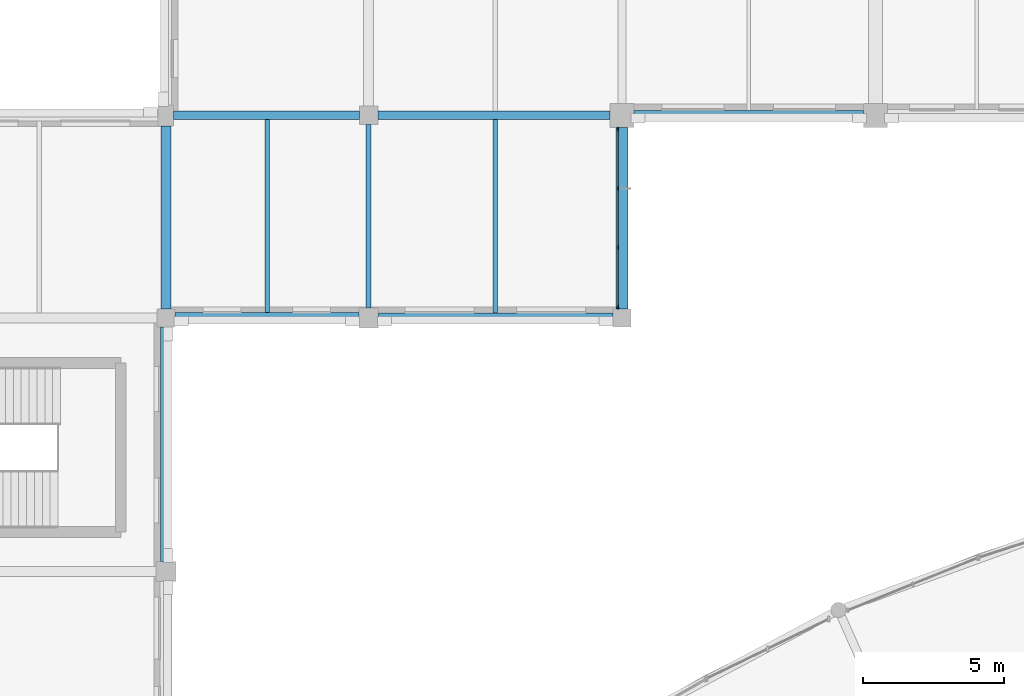
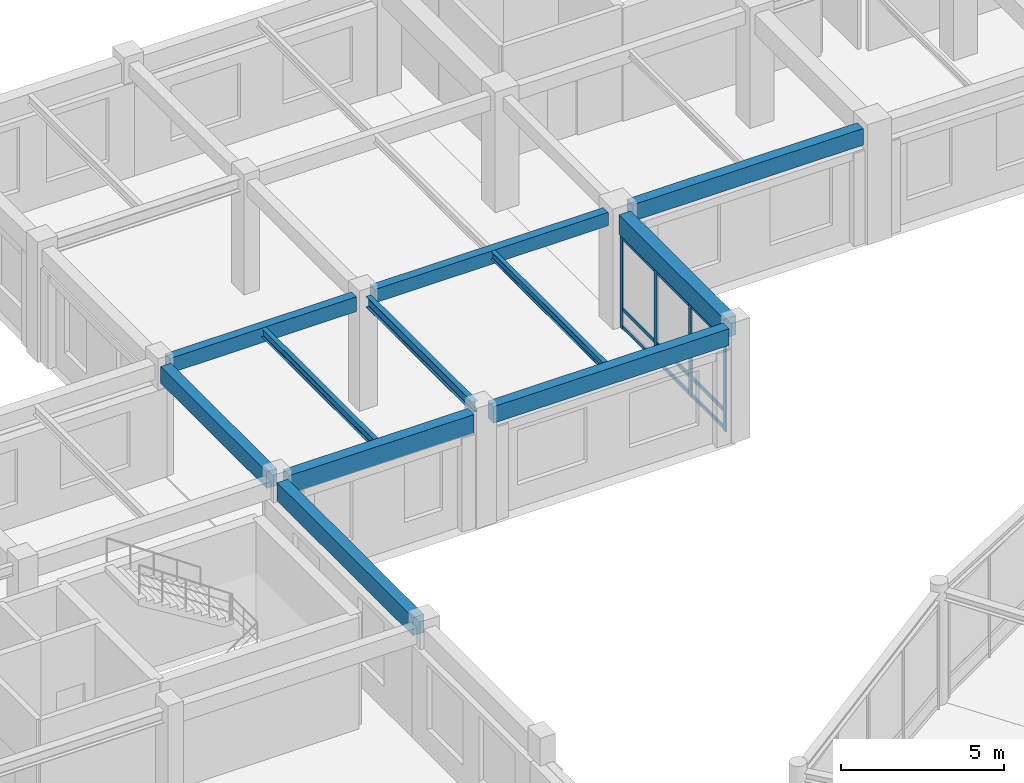
# One storey, part 20 of 62: 13 members, 11 beams, 1 element without a shape of its own.
"""IFC4 building model written with IfcOpenShell, lengths in metres."""

from ifc_helpers import new_model, si_unit, direction, frame, origin, origin_2d, place, context, subcontext, project, spatial, rectangle, i_section, extrude, material, material_profile, profile_set, type_object, element, aggregate, save


model = new_model("IFC4")

# Units and contexts
model_context = context("Model", 3, precision=1e-05, world=origin(), true_north=direction((0.0, 1.0)))
body_context = subcontext(model_context, "Body", "Model", "MODEL_VIEW")
ifc_project = project(units=[si_unit("LENGTHUNIT", "METRE"), si_unit("AREAUNIT", "SQUARE_METRE"), si_unit("VOLUMEUNIT", "CUBIC_METRE"), si_unit("PLANEANGLEUNIT", "RADIAN"), si_unit("MASSUNIT", "GRAM", prefix="KILO")], contexts=[model_context])

# Site, building, storey
site_placement = place(None, origin())
site = spatial("IfcSite", under=ifc_project, at=site_placement, CompositionType="ELEMENT")
building_placement = place(site_placement, origin())
building = spatial("IfcBuilding", under=site, at=building_placement, Name="Clarverna Civic Hall", CompositionType="ELEMENT")
storey_placement = place(building_placement, frame((0.0, 0.0, 5.10009765625)))
storey = spatial("IfcBuildingStorey", under=building, at=storey_placement, Name="L01", CompositionType="ELEMENT", Elevation=5.10009765625)

# Beams
ifc_material_1 = material(Name="Concrete C35/45", Category="concrete")
ifc_material_profile_1 = material_profile(ifc_material_1, rectangle(XDim=0.300048828125, YDim=0.550048828125, at=origin_2d()), Name="RC 300x550")
ifc_profile_set_1 = profile_set([ifc_material_profile_1], Name="Concrete C35/45")
beam_type_1 = type_object("IfcBeamType", Name="B-RC11", PredefinedType="BEAM", material=ifc_profile_set_1)
beam_1_placement = place(storey_placement, frame((97.47509765625, 95.0, 3.90478515625), z_axis=(1.0, 0.0, 0.0), x_axis=(0.0, 1.0, 0.0)))
element("IfcBeam", 1, at=beam_1_placement, inside=storey, type_object=beam_type_1, Name="B-RC11-025", PredefinedType="BEAM", context=body_context, shape_type="SweptSolid", body=[
    extrude(rectangle(XDim=0.300048828125, YDim=0.550048828125, at=origin_2d()), origin(), (0.0, 0.0, 1.0), 6.599853515625),
])
ifc_material_profile_2 = material_profile(ifc_material_1, rectangle(XDim=0.300048828125, YDim=0.5, at=origin_2d()), Name="RC 300x500")
ifc_profile_set_2 = profile_set([ifc_material_profile_2], Name="Concrete C35/45")
beam_type_2 = type_object("IfcBeamType", Name="B-RC12", PredefinedType="BEAM", material=ifc_profile_set_2)
beam_2_placement = place(storey_placement, frame((104.72509765625, 95.0, 3.969970703125), z_axis=(1.0, 0.0, 0.0), x_axis=(0.0, 1.0, 0.0)))
element("IfcBeam", 2, at=beam_2_placement, inside=storey, type_object=beam_type_2, Name="B-RC12-031", PredefinedType="BEAM", context=body_context, shape_type="SweptSolid", body=[
    extrude(rectangle(XDim=0.300048828125, YDim=0.5, at=origin_2d()), origin(), (0.0, 0.0, 1.0), 8.25),
])
ifc_material_profile_3 = material_profile(ifc_material_1, rectangle(XDim=0.419921875, YDim=0.719970703125, at=origin_2d()), Name="RC 420x720")
ifc_profile_set_3 = profile_set([ifc_material_profile_3], Name="Concrete C35/45")
beam_type_3 = type_object("IfcBeamType", Name="B-SP1", PredefinedType="SPANDREL", material=ifc_profile_set_3)
beam_3_placement = place(storey_placement, frame((113.39990234375, 88.125, 3.85986328125), z_axis=(0.0, 1.0, 0.0), x_axis=(-1.0, 0.0, 0.0)))
element("IfcBeam", 3, at=beam_3_placement, inside=storey, type_object=beam_type_3, Name="B-SP1-079", PredefinedType="SPANDREL", context=body_context, shape_type="SweptSolid", body=[
    extrude(rectangle(XDim=0.419921875, YDim=0.719970703125, at=origin_2d()), origin(), (0.0, 0.0, 1.0), 6.449951171875),
])
ifc_material_profile_4 = material_profile(ifc_material_1, rectangle(XDim=0.3798828125, YDim=0.679931640625, at=origin_2d()), Name="RC 380x680")
ifc_profile_set_4 = profile_set([ifc_material_profile_4], Name="Concrete C35/45")
beam_type_4 = type_object("IfcBeamType", Name="B-SP2", PredefinedType="SPANDREL", material=ifc_profile_set_4)
beam_4_placement = place(storey_placement, frame((97.52490234375, 87.800048828125, 3.83984375), z_axis=(1.0, 0.0, 0.0), x_axis=(0.0, 1.0, 0.0)))
element("IfcBeam", 4, at=beam_4_placement, inside=storey, type_object=beam_type_4, Name="B-SP2-062", PredefinedType="SPANDREL", context=body_context, shape_type="SweptSolid", body=[
    extrude(rectangle(XDim=0.3798828125, YDim=0.679931640625, at=origin_2d()), origin(), (0.0, 0.0, 1.0), 6.525146484375),
])
beam_5_placement = place(storey_placement, frame((97.199951171875, 79.14990234375, 3.83984375), z_axis=(0.0, 1.0, 0.0), x_axis=(-1.0, 0.0, 0.0)))
element("IfcBeam", 5, at=beam_5_placement, inside=storey, type_object=beam_type_4, Name="B-SP2-079", PredefinedType="SPANDREL", context=body_context, shape_type="SweptSolid", body=[
    extrude(rectangle(XDim=0.3798828125, YDim=0.679931640625, at=origin_2d()), origin(), (0.0, 0.0, 1.0), 8.3251953125),
])
ifc_material_profile_5 = material_profile(ifc_material_1, rectangle(XDim=0.360107421875, YDim=0.6201171875, at=origin_2d()), Name="RC 360x620")
ifc_profile_set_5 = profile_set([ifc_material_profile_5], Name="Concrete C35/45")
beam_type_5 = type_object("IfcBeamType", Name="B-SP3", PredefinedType="SPANDREL", material=ifc_profile_set_5)
beam_6_placement = place(storey_placement, frame((104.75, 87.800048828125, 3.909912109375), z_axis=(1.0, 0.0, 0.0), x_axis=(0.0, 1.0, 0.0)))
element("IfcBeam", 6, at=beam_6_placement, inside=storey, type_object=beam_type_5, Name="B-SP3-063", PredefinedType="SPANDREL", context=body_context, shape_type="SweptSolid", body=[
    extrude(rectangle(XDim=0.360107421875, YDim=0.6201171875, at=origin_2d()), origin(), (0.0, 0.0, 1.0), 8.324951171875),
])
beam_7_placement = place(storey_placement, frame((113.824951171875, 95.0, 3.909912109375), z_axis=(1.0, 0.0, 0.0), x_axis=(0.0, 1.0, 0.0)))
element("IfcBeam", 7, at=beam_7_placement, inside=storey, type_object=beam_type_5, Name="B-SP3-065", PredefinedType="SPANDREL", context=body_context, shape_type="SweptSolid", body=[
    extrude(rectangle(XDim=0.360107421875, YDim=0.6201171875, at=origin_2d()), origin(), (0.0, 0.0, 1.0), 8.150146484375),
])
beam_8_placement = place(storey_placement, frame((97.199951171875, 88.125, 3.869873046875), z_axis=(0.0, 1.0, 0.0), x_axis=(-1.0, 0.0, 0.0)))
element("IfcBeam", 8, at=beam_8_placement, inside=storey, type_object=beam_type_5, Name="B-SP3-079", PredefinedType="SPANDREL", context=body_context, shape_type="SweptSolid", body=[
    extrude(rectangle(XDim=0.360107421875, YDim=0.6201171875, at=origin_2d()), origin(), (0.0, 0.0, 1.0), 6.5),
])
ifc_material_2 = material(Name="Steel S355", Category="steel")
ifc_material_profile_6 = material_profile(ifc_material_2, i_section(OverallWidth=0.179931640625, OverallDepth=0.39990234375, WebThickness=0.008544921875, FlangeThickness=0.013427734375, FilletRadius=0.02099609375, at=origin_2d()), Name="IPE 400")
ifc_profile_set_6 = profile_set([ifc_material_profile_6], Name="Steel S355")
beam_type_6 = type_object("IfcBeamType", Name="B-ST14", PredefinedType="BEAM", material=ifc_profile_set_6)
beam_9_placement = place(storey_placement, frame((104.39990234375, 88.14990234375, 4.02001953125), z_axis=(0.0, 1.0, 0.0), x_axis=(-1.0, 0.0, 0.0)))
element("IfcBeam", 9, at=beam_9_placement, inside=storey, type_object=beam_type_6, Name="B-ST14-008", PredefinedType="BEAM", context=body_context, shape_type="SweptSolid", body=[
    extrude(i_section(OverallWidth=0.179931640625, OverallDepth=0.39990234375, WebThickness=0.008544921875, FlangeThickness=0.013427734375, FilletRadius=0.02099609375, at=origin_2d()), origin(), (0.0, 0.0, 1.0), 6.525146484375),
])

# Curtain wall, members
ifc_material_3 = material(Name="Anodised Bronze Architectural Aluminium", Category="aluminium")
curtain_wall_type = type_object("IfcCurtainWallType", Name="CW-01", PredefinedType="USERDEFINED", material=ifc_material_3)
curtain_wall_placement = place(storey_placement, origin())
curtain_wall = element("IfcCurtainWall", 10, at=curtain_wall_placement, inside=storey, type_object=curtain_wall_type, Name="CW-01-014", ObjectType="UNITISED CURTAIN WALL", PredefinedType="USERDEFINED")
ifc_material_profile_7 = material_profile(ifc_material_3, rectangle(XDim=0.06005859375, YDim=0.159912109375, at=origin_2d()), Name="BRONZE 60x160")
ifc_profile_set_7 = profile_set([ifc_material_profile_7], Name="Anodised Bronze Architectural Aluminium")
member_type_1 = type_object("IfcMemberType", Name="CWM-02", PredefinedType="MULLION", material=ifc_profile_set_7)
member_1_placement = place(storey_placement, frame((113.260009765625, 94.501953125, 0.0), z_axis=(0.0, 0.0, 1.0), x_axis=(1.0, 0.0, 0.0)))
member_1 = element("IfcMember", 11, at=member_1_placement, type_object=member_type_1, Name="CWM-02-052", PredefinedType="MULLION", context=body_context, shape_type="SweptSolid", body=[
    extrude(rectangle(XDim=0.06005859375, YDim=0.159912109375, at=origin_2d()), origin(), (0.0, 0.0, 1.0), 3.5),
])
member_2_placement = place(storey_placement, frame((113.260009765625, 92.400634765625, 0.0), z_axis=(0.0, 0.0, 1.0), x_axis=(1.0, 0.0, 0.0)))
member_2 = element("IfcMember", 12, at=member_2_placement, type_object=member_type_1, Name="CWM-02-053", PredefinedType="MULLION", context=body_context, shape_type="SweptSolid", body=[
    extrude(rectangle(XDim=0.06005859375, YDim=0.159912109375, at=origin_2d()), origin(), (0.0, 0.0, 1.0), 3.5),
])
member_3_placement = place(storey_placement, frame((113.260009765625, 90.29931640625, 0.0), z_axis=(0.0, 0.0, 1.0), x_axis=(1.0, 0.0, 0.0)))
member_3 = element("IfcMember", 13, at=member_3_placement, type_object=member_type_1, Name="CWM-02-054", PredefinedType="MULLION", context=body_context, shape_type="SweptSolid", body=[
    extrude(rectangle(XDim=0.06005859375, YDim=0.159912109375, at=origin_2d()), origin(), (0.0, 0.0, 1.0), 3.5),
])
member_4_placement = place(storey_placement, frame((113.260009765625, 88.197998046875, 0.0), z_axis=(0.0, 0.0, 1.0), x_axis=(1.0, 0.0, 0.0)))
member_4 = element("IfcMember", 14, at=member_4_placement, type_object=member_type_1, Name="CWM-02-055", PredefinedType="MULLION", context=body_context, shape_type="SweptSolid", body=[
    extrude(rectangle(XDim=0.06005859375, YDim=0.159912109375, at=origin_2d()), origin(), (0.0, 0.0, 1.0), 3.5),
])
ifc_material_profile_8 = material_profile(ifc_material_3, rectangle(XDim=0.06005859375, YDim=0.1298828125, at=origin_2d()), Name="BRONZE 60x130")
ifc_profile_set_8 = profile_set([ifc_material_profile_8], Name="Anodised Bronze Architectural Aluminium")
member_type_2 = type_object("IfcMemberType", Name="CWT-02", PredefinedType="USERDEFINED", material=ifc_profile_set_8)
member_5_placement = place(storey_placement, frame((113.260009765625, 94.487060546875, 0.094970703125), z_axis=(0.0, -1.0, 0.0), x_axis=(1.0, 0.0, 0.0)))
member_5 = element("IfcMember", 15, at=member_5_placement, type_object=member_type_2, Name="CWT-02-106", ObjectType="TRANSOM", PredefinedType="USERDEFINED", context=body_context, shape_type="SweptSolid", body=[
    extrude(rectangle(XDim=0.06005859375, YDim=0.1298828125, at=origin_2d()), origin(), (0.0, 0.0, 1.0), 2.0712890625),
])
member_6_placement = place(storey_placement, frame((113.260009765625, 94.487060546875, 0.75), z_axis=(0.0, -1.0, 0.0), x_axis=(1.0, 0.0, 0.0)))
member_6 = element("IfcMember", 16, at=member_6_placement, type_object=member_type_2, Name="CWT-02-107", ObjectType="TRANSOM", PredefinedType="USERDEFINED", context=body_context, shape_type="SweptSolid", body=[
    extrude(rectangle(XDim=0.06005859375, YDim=0.1298828125, at=origin_2d()), origin(), (0.0, 0.0, 1.0), 2.0712890625),
])
member_7_placement = place(storey_placement, frame((113.260009765625, 94.487060546875, 3.40478515625), z_axis=(0.0, -1.0, 0.0), x_axis=(1.0, 0.0, 0.0)))
member_7 = element("IfcMember", 17, at=member_7_placement, type_object=member_type_2, Name="CWT-02-108", ObjectType="TRANSOM", PredefinedType="USERDEFINED", context=body_context, shape_type="SweptSolid", body=[
    extrude(rectangle(XDim=0.06005859375, YDim=0.1298828125, at=origin_2d()), origin(), (0.0, 0.0, 1.0), 2.0712890625),
])
member_8_placement = place(storey_placement, frame((113.260009765625, 92.3857421875, 0.094970703125), z_axis=(0.0, -1.0, 0.0), x_axis=(1.0, 0.0, 0.0)))
member_8 = element("IfcMember", 18, at=member_8_placement, type_object=member_type_2, Name="CWT-02-109", ObjectType="TRANSOM", PredefinedType="USERDEFINED", context=body_context, shape_type="SweptSolid", body=[
    extrude(rectangle(XDim=0.06005859375, YDim=0.1298828125, at=origin_2d()), origin(), (0.0, 0.0, 1.0), 2.071533203125),
])
member_9_placement = place(storey_placement, frame((113.260009765625, 92.3857421875, 0.75), z_axis=(0.0, -1.0, 0.0), x_axis=(1.0, 0.0, 0.0)))
member_9 = element("IfcMember", 19, at=member_9_placement, type_object=member_type_2, Name="CWT-02-110", ObjectType="TRANSOM", PredefinedType="USERDEFINED", context=body_context, shape_type="SweptSolid", body=[
    extrude(rectangle(XDim=0.06005859375, YDim=0.1298828125, at=origin_2d()), origin(), (0.0, 0.0, 1.0), 2.071533203125),
])
member_10_placement = place(storey_placement, frame((113.260009765625, 92.3857421875, 3.40478515625), z_axis=(0.0, -1.0, 0.0), x_axis=(1.0, 0.0, 0.0)))
member_10 = element("IfcMember", 20, at=member_10_placement, type_object=member_type_2, Name="CWT-02-111", ObjectType="TRANSOM", PredefinedType="USERDEFINED", context=body_context, shape_type="SweptSolid", body=[
    extrude(rectangle(XDim=0.06005859375, YDim=0.1298828125, at=origin_2d()), origin(), (0.0, 0.0, 1.0), 2.071533203125),
])
member_11_placement = place(storey_placement, frame((113.260009765625, 90.2841796875, 0.094970703125), z_axis=(0.0, -1.0, 0.0), x_axis=(1.0, 0.0, 0.0)))
member_11 = element("IfcMember", 21, at=member_11_placement, type_object=member_type_2, Name="CWT-02-112", ObjectType="TRANSOM", PredefinedType="USERDEFINED", context=body_context, shape_type="SweptSolid", body=[
    extrude(rectangle(XDim=0.06005859375, YDim=0.1298828125, at=origin_2d()), origin(), (0.0, 0.0, 1.0), 2.0712890625),
])
member_12_placement = place(storey_placement, frame((113.260009765625, 90.2841796875, 0.75), z_axis=(0.0, -1.0, 0.0), x_axis=(1.0, 0.0, 0.0)))
member_12 = element("IfcMember", 22, at=member_12_placement, type_object=member_type_2, Name="CWT-02-113", ObjectType="TRANSOM", PredefinedType="USERDEFINED", context=body_context, shape_type="SweptSolid", body=[
    extrude(rectangle(XDim=0.06005859375, YDim=0.1298828125, at=origin_2d()), origin(), (0.0, 0.0, 1.0), 2.0712890625),
])
member_13_placement = place(storey_placement, frame((113.260009765625, 90.2841796875, 3.40478515625), z_axis=(0.0, -1.0, 0.0), x_axis=(1.0, 0.0, 0.0)))
member_13 = element("IfcMember", 23, at=member_13_placement, type_object=member_type_2, Name="CWT-02-114", ObjectType="TRANSOM", PredefinedType="USERDEFINED", context=body_context, shape_type="SweptSolid", body=[
    extrude(rectangle(XDim=0.06005859375, YDim=0.1298828125, at=origin_2d()), origin(), (0.0, 0.0, 1.0), 2.0712890625),
])
aggregate(curtain_wall, [member_1, member_2, member_3, member_4, member_5, member_6, member_7, member_8, member_9, member_10, member_11, member_12, member_13])

# Beams
ifc_material_profile_9 = material_profile(ifc_material_2, i_section(OverallWidth=0.159912109375, OverallDepth=0.330078125, WebThickness=0.007568359375, FlangeThickness=0.011474609375, FilletRadius=0.01806640625, at=origin_2d()), Name="IPE 330")
ifc_profile_set_9 = profile_set([ifc_material_profile_9], Name="Steel S355")
beam_type_7 = type_object("IfcBeamType", Name="J-ST2", PredefinedType="JOIST", material=ifc_profile_set_9)
beam_10_placement = place(storey_placement, frame((100.800048828125, 87.989990234375, 4.014892578125), z_axis=(0.0, 1.0, 0.0), x_axis=(-1.0, 0.0, 0.0)))
element("IfcBeam", 24, at=beam_10_placement, inside=storey, type_object=beam_type_7, Name="J-ST2-043", PredefinedType="JOIST", context=body_context, shape_type="SweptSolid", body=[
    extrude(i_section(OverallWidth=0.159912109375, OverallDepth=0.330078125, WebThickness=0.007568359375, FlangeThickness=0.011474609375, FilletRadius=0.01806640625, at=origin_2d()), origin(), (0.0, 0.0, 1.0), 6.860107421875),
])
ifc_material_profile_10 = material_profile(ifc_material_2, i_section(OverallWidth=0.14990234375, OverallDepth=0.300048828125, WebThickness=0.007080078125, FlangeThickness=0.0107421875, FilletRadius=0.014892578125, at=origin_2d()), Name="IPE 300")
ifc_profile_set_10 = profile_set([ifc_material_profile_10], Name="Steel S355")
beam_type_8 = type_object("IfcBeamType", Name="J-ST3", PredefinedType="JOIST", material=ifc_profile_set_10)
beam_11_placement = place(storey_placement, frame((108.89990234375, 87.97998046875, 4.06982421875), z_axis=(0.0, 1.0, 0.0), x_axis=(-1.0, 0.0, 0.0)))
element("IfcBeam", 25, at=beam_11_placement, inside=storey, type_object=beam_type_8, Name="J-ST3-043", PredefinedType="JOIST", context=body_context, shape_type="SweptSolid", body=[
    extrude(i_section(OverallWidth=0.14990234375, OverallDepth=0.300048828125, WebThickness=0.007080078125, FlangeThickness=0.0107421875, FilletRadius=0.014892578125, at=origin_2d()), origin(), (0.0, 0.0, 1.0), 6.8701171875),
])

save(model, "model.ifc")
